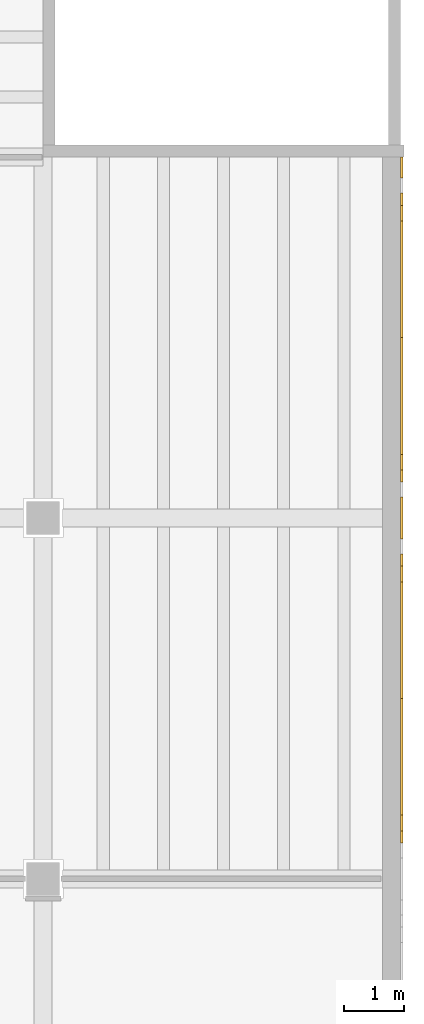
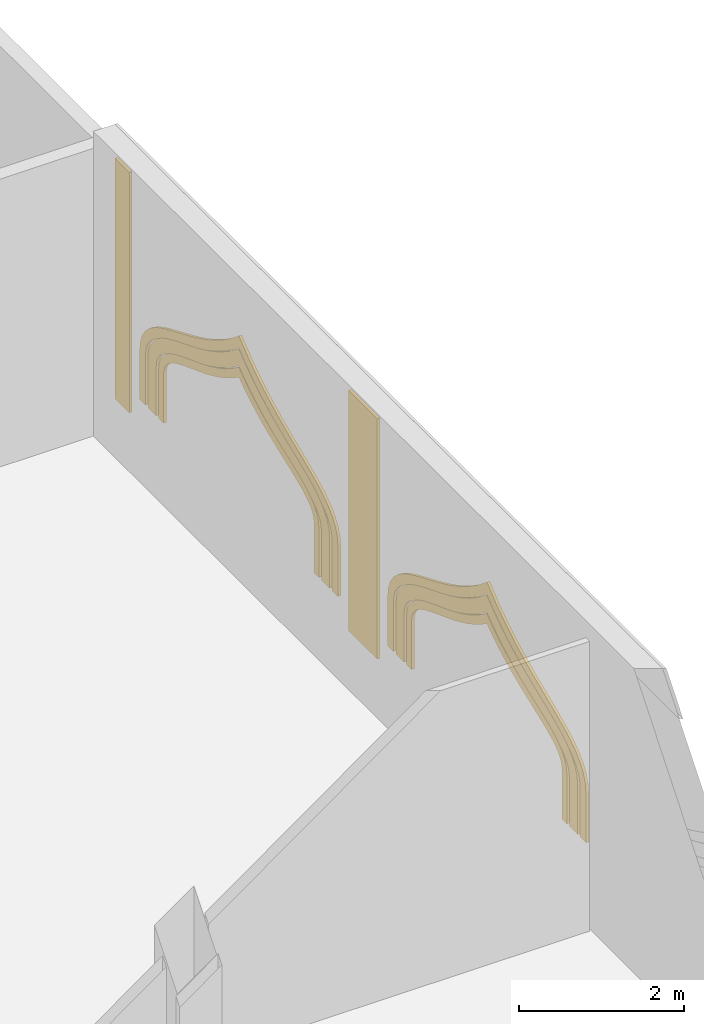
# One storey, part 70 of 70: 8 coverings.
"""IFC4 building model written with IfcOpenShell, lengths in metres."""

from ifc_helpers import new_model, si_unit, direction, frame, origin, origin_2d, place, context, subcontext, project, spatial, polyline, rectangle, outline, extrude, material, layer, layer_set, type_object, element, save


model = new_model("IFC4")

# Units and contexts
model_context = context("Model", 3, precision=1e-05, world=origin(), true_north=direction((0.0, 1.0)))
body_context = subcontext(model_context, "Body", "Model", "MODEL_VIEW")
ifc_project = project(units=[si_unit("LENGTHUNIT", "METRE"), si_unit("AREAUNIT", "SQUARE_METRE"), si_unit("VOLUMEUNIT", "CUBIC_METRE"), si_unit("PLANEANGLEUNIT", "RADIAN"), si_unit("MASSUNIT", "GRAM", prefix="KILO")], contexts=[model_context])

# Site, building, storey
site_placement = place(None, origin())
site = spatial("IfcSite", under=ifc_project, at=site_placement, CompositionType="ELEMENT")
building_placement = place(site_placement, origin())
building = spatial("IfcBuilding", under=site, at=building_placement, Name="Saffron Lane Theatres", CompositionType="ELEMENT")
storey_placement = place(building_placement, frame((0.0, 0.0, 12.0)))
storey = spatial("IfcBuildingStorey", under=building, at=storey_placement, Name="L02", CompositionType="ELEMENT", Elevation=12.0)

# Coverings
ifc_material_1 = material(Name="Face brick cladding, pale buff", Category="masonry")
ifc_layer_1 = layer(ifc_material_1, 0.0400390625)
ifc_layer_set_1 = layer_set([ifc_layer_1], Name="Face brick cladding, pale buff")
covering_type_1 = type_object("IfcCoveringType", Name="EX-FACE BRICK SKIN PALE BUFF 40", PredefinedType="CLADDING", material=ifc_layer_set_1)
covering_1_placement = place(storey_placement, frame((65.9599609375, 114.0, 0.4501953125), z_axis=(0.0, 0.0, 1.0), x_axis=(0.0, 1.0, 0.0)))
element("IfcCovering", 1, at=covering_1_placement, inside=storey, type_object=covering_type_1, Name="Face brick cladding, pale buff L02", PredefinedType="CLADDING", context=body_context, shape_type="SweptSolid", body=[
    extrude(rectangle(XDim=0.699951171875, YDim=0.0400390625, at=origin_2d()), origin(), (0.0, 0.0, 1.0), 3.550048828125),
])
covering_2_placement = place(storey_placement, frame((65.9599609375, 119.824951171875, 0.4501953125), z_axis=(0.0, 0.0, 1.0), x_axis=(0.0, 1.0, 0.0)))
element("IfcCovering", 2, at=covering_2_placement, inside=storey, type_object=covering_type_1, Name="Face brick cladding, pale buff L02", PredefinedType="CLADDING", context=body_context, shape_type="SweptSolid", body=[
    extrude(rectangle(XDim=0.35009765625, YDim=0.0400390625, at=origin_2d()), origin(), (0.0, 0.0, 1.0), 3.550048828125),
])
ifc_material_2 = material(Name="Face brick cladding, pale buff", Category="masonry")
ifc_layer_2 = layer(ifc_material_2, 0.0400390625)
ifc_layer_set_2 = layer_set([ifc_layer_2], Name="Face brick cladding, pale buff")
covering_type_2 = type_object("IfcCoveringType", Name="EX-NICHE FRAME RING FACE BRICK PALE BUFF", PredefinedType="CLADDING", material=ifc_layer_set_2)
covering_3_placement = place(storey_placement, frame((65.93994140625, 109.06005859375, 1.529052734375), z_axis=(-1.0, 0.0, 0.0), x_axis=(0.0, 0.125787163421, 0.992057251129)))
element("IfcCovering", 3, at=covering_3_placement, inside=storey, type_object=covering_type_2, Name="Court wall niche ring", PredefinedType="CLADDING", context=body_context, shape_type="SweptSolid", body=[
    extrude(outline(polyline([(0.0, 0.0), (0.10286783462729944, -1.734723475976807e-18), (0.2003058366133861, 0.02898943089024811), (0.28852048186243034, 0.08228128848391583), (0.36629033325911087, 0.1541241568385554), (0.4390324759984652, 0.24260070416356044), (0.507500747692938, 0.345892681090867), (0.5744445407107455, 0.46045224157820186), (0.6416479180870274, 0.5848227001853759), (0.7120787170630909, 0.7191199427867082), (0.7862758069545193, 0.8598303096728491), (0.8662040327603895, 1.0049820026922627), (0.9537702965426195, 1.154087142314066), (1.0502093622920772, 1.3032977380814992), (1.1557020119727, 1.4520986772832154), (1.2741507024021774, 1.5982724837141218), (1.4373464054824177, 1.7732259676027586), (1.3229792155464521, 1.9833728326633073), (1.244760306386786, 2.1544829615301575), (1.1797431160295304, 2.3249035694448104), (1.123595251063273, 2.4934613119297864), (1.0760130904972982, 2.6597024957871276), (1.0348405776399026, 2.8202090671537974), (0.9981093909157794, 2.974984502606025), (0.9634247487321284, 3.122609779612776), (0.9293879085859198, 3.259816916518256), (0.8931538722626247, 3.387458833357453), (0.8526314791601582, 3.50457020079729), (0.8042728832362467, 3.6084016264695515), (0.7468943102847225, 3.6973805390597287), (0.6747715775436027, 3.7710022555851634), (0.5876520538068722, 3.8233925210766304), (0.4880394533891911, 3.8490658776732425), (-0.2351741579078327, 3.9407652111630567), (-0.2502526484448383, 3.8218442857957298), (0.46496831410040995, 3.7311583742768346), (0.5400026794337924, 3.7115545403476755), (0.6001700459508014, 3.6756247044444676), (0.6527671677279272, 3.6226897753437015), (0.698940156062184, 3.5501434797319464), (0.7410530827896775, 3.4591626386629097), (0.77859431177529, 3.351534791747961), (0.8135356411705575, 3.229224783986177), (0.846849353461016, 3.0940780979260873), (0.8816568346714453, 2.9474216268286426), (0.9185073838461169, 2.7916466757104144), (0.960037984055158, 2.6281415573457427), (1.0091585296027163, 2.4585060762296007), (1.0668720127310223, 2.284827916387843), (1.1349966828081395, 2.107860915432915), (1.2162002326608894, 1.9292355876164828), (1.2905723102225393, 1.7918360801596331), (1.1842620856985966, 1.6773460511968898), (1.0610475886877535, 1.5246397580306266), (0.9510348104793215, 1.3712439439121653), (0.8516788972732567, 1.2164969004991457), (0.7617757948353858, 1.0644888197256537), (0.6807524475172019, 0.9165228382484054), (0.6061903171216689, 0.7748743752096529), (0.5358823571723834, 0.6415459385176266), (0.4698934637589638, 0.5189902527022867), (0.40553218745035335, 0.4092712451852531), (0.3423176018681286, 0.31441865705522143), (0.2788306844812543, 0.23682726990499206), (0.21601300801857182, 0.17810036480576727), (0.15186901772430933, 0.13996753843175677), (0.08463840716756255, 0.12019103454986238), (0.007085841785230041, 0.11993434733824601), (-0.7081351207600182, 0.21062025885714114), (-0.7232136112970238, 0.09169933348981403), (0.0, 0.0)])), origin(), (0.0, 0.0, -1.0), 0.0400390625),
])
covering_4_placement = place(storey_placement, frame((65.93994140625, 108.800048828125, 1.531005859375), z_axis=(-1.0, 0.0, 0.0), x_axis=(0.0, 0.124981281942, 0.992159099724)))
element("IfcCovering", 4, at=covering_4_placement, inside=storey, type_object=covering_type_2, Name="Court wall niche ring", PredefinedType="CLADDING", context=body_context, shape_type="SweptSolid", body=[
    extrude(outline(polyline([(0.0, 0.0), (0.12697213837489085, 0.0), (0.24997852453431715, 0.03298080651064107), (0.3595056719254136, 0.09374300291988652), (0.45676095681453616, 0.17819737668643526), (0.5452500891383669, 0.27901235606536234), (0.6263959139448547, 0.39576263666424205), (0.7061301600449148, 0.5247481641551519), (0.7862990991553347, 0.664998155443681), (0.8685354119348959, 0.8138462430364772), (0.9556542754712098, 0.9701995918059837), (1.0495611097740505, 1.131603547593268), (1.1510112291562355, 1.2962404739662412), (1.2636056380264804, 1.461442125707965), (1.3880691376893162, 1.6251486400436455), (1.5262174868532434, 1.786147007536166), (1.7363042432154532, 1.9986165951301107), (1.5855958009789675, 2.2575194704419133), (1.491569261797464, 2.446780394502173), (1.4115937282164914, 2.6362398878317443), (1.3434872854281097, 2.824204243755272), (1.286036923995202, 3.0088577035642547), (1.2350924053598944, 3.1885084383069255), (1.1894712330933568, 3.3615829156174892), (1.146718753036656, 3.526175715486171), (1.1038367100524615, 3.681926314984293), (1.0585821633162598, 3.826656554751089), (1.0089257630615434, 3.959883859824733), (0.9482034682785188, 4.079494852308206), (0.874931407902664, 4.18543038390852), (0.7838951435332473, 4.2714573511790705), (0.6729108826387414, 4.333913723694567), (0.5499054353411086, 4.365403148246339), (-0.1753202347204572, 4.45675909505642), (-0.20031038850718275, 4.25837572038026), (0.5130461907617923, 4.1685149109762225), (0.5988745887630316, 4.14663004257128), (0.6639156477958518, 4.110138831814989), (0.7223673053314565, 4.054546008440391), (0.7761044683713332, 3.977154691945845), (0.8252797019569147, 3.8791760140448814), (0.8698930060882013, 3.7606099747375006), (0.9121586863050064, 3.625360830791697), (0.953743691721572, 3.474941088556692), (0.9964961717782725, 3.3103482886880107), (1.0422375183543697, 3.1362743929983368), (1.0946011265904527, 2.9522617063633723), (1.1541038399038068, 2.7604597528591834), (1.2250789749020257, 2.5640137194937744), (1.3086480019973663, 2.3640126859475283), (1.4091728730821225, 2.16187574182122), (1.4863266575429295, 2.0301060196818823), (1.378903968861815, 1.9215872098569335), (1.2313890650156947, 1.750695586216104), (1.1008300051589897, 1.577668051995212), (0.9833530455319921, 1.404961139076778), (0.8782638978384575, 1.2348769365783012), (0.7817784796199506, 1.0686303316604855), (0.6942953377077843, 0.9113385905284419), (0.6120590249282231, 0.7624905029356456), (0.5344686697334693, 0.6270831607776483), (0.4599812527660143, 0.5065412868259859), (0.38735700702762876, 0.4027435435293195), (0.3154190692602435, 0.32002136977165624), (0.24416743946385833, 0.2583747655529961), (0.17375468267990626, 0.2190148625868687), (0.10169563174116798, 0.19979401452079415), (0.0131210629941348, 0.1998785120822032), (-0.7002355162748403, 0.28973932148624076), (-0.7252256700615658, 0.09135594681008097), (0.0, 0.0)])), origin(), (0.0, 0.0, -1.0), 0.0400390625),
])
covering_5_placement = place(storey_placement, frame((65.93994140625, 108.60009765625, 1.529052734375), z_axis=(-1.0, 0.0, 0.0), x_axis=(0.0, 0.1142904069, 0.993447383051)))
element("IfcCovering", 5, at=covering_5_placement, inside=storey, type_object=covering_type_2, Name="Court wall niche ring", PredefinedType="CLADDING", context=body_context, shape_type="SweptSolid", body=[
    extrude(outline(polyline([(0.0, 0.0), (0.1388492792656847, 0.0), (0.2696088548128292, 0.03435280127758979), (0.38778420831120713, 0.09816895170466255), (0.4935728066597587, 0.1867564660520517), (0.5907072035243214, 0.2962454223763962), (0.682649508774358, 0.42255126080070415), (0.7725527536549033, 0.5653112432171398), (0.8628530787126653, 0.7200673397441939), (0.9554908108676652, 0.8865963269308906), (1.0550849584516353, 1.060189048513373), (1.1614487864623173, 1.2413584891530183), (1.2782032368400602, 1.4252645634464545), (1.4071770247793973, 1.6107138844826956), (1.5503297946143773, 1.7955149989593715), (1.7109648241435755, 1.9763388725258713), (1.9322951685448566, 2.193432264117283), (1.7660452106718798, 2.4551145400411314), (1.6506687358280459, 2.6676919495089537), (1.5532209675803823, 2.8801727719066417), (1.4697289577773855, 3.090065060824744), (1.3978982269085434, 3.2966497791855978), (1.3353420011518824, 3.496269496600136), (1.2777696682141262, 3.6879433177116665), (1.2253679630975327, 3.871158257858812), (1.1725691778037226, 4.042377083895339), (1.1174329854126743, 4.201823019272223), (1.0565745457110323, 4.345707704460884), (0.9868408274537619, 4.474393877569155), (0.9039326328302404, 4.584689872523951), (0.803336126096215, 4.673674467048558), (0.6837935289606095, 4.736823093502039), (0.5485716307732833, 4.768353405952386), (-0.17565539212467307, 4.851671559029142), (-0.19164377180082215, 4.712695643382615), (0.5245794025520463, 4.630298287041135), (0.6344268042255539, 4.604636175696251), (0.7236754034085255, 4.557997499097641), (0.800384854508793, 4.489946542240035), (0.8682683937781672, 4.398581613031465), (0.9308332050521732, 4.284482233892733), (0.9867721433150001, 4.151239297453483), (1.0388368668757932, 3.9992734940636265), (1.0910282268174285, 3.831319310997622), (1.14354154365951, 3.649074534310487), (1.2006202093499159, 3.4552457483453045), (1.2650523706465087, 3.252706955033389), (1.3383490786020484, 3.0417758185165145), (1.424324449297152, 2.8256998107305122), (1.5258138498350813, 2.605627244620307), (1.6453628861086955, 2.384460025048585), (1.7535425510378928, 2.2139967245384384), (1.609479716364319, 2.0725524726551585), (1.442830531934789, 1.8843107121023825), (1.2940177597899682, 1.6930339711680689), (1.1612212702526687, 1.5021264074796), (1.0420521431215808, 1.314320361932094), (0.9331985150807832, 1.1307340981597673), (0.8335957819794677, 0.9549306058608891), (0.7410696615499556, 0.789371782134203), (0.6521022380600401, 0.6376571051266956), (0.5668888320293253, 0.5014843608933854), (0.4821540685906067, 0.384425124649887), (0.39531370702297125, 0.28751395123630025), (0.3085956890775053, 0.21516379656807177), (0.21829751039907963, 0.16509735216938012), (0.12078964352999957, 0.13994393272720115), (0.007984531131061172, 0.1398967123818024), (-0.7082386432218073, 0.22229406872328286), (-0.7242270228979564, 0.08331815307675605), (0.0, 0.0)])), origin(), (0.0, 0.0, -1.0), 0.0400390625),
])
covering_6_placement = place(storey_placement, frame((65.93994140625, 115.06005859375, 1.529052734375), z_axis=(-1.0, 0.0, 0.0), x_axis=(0.0, 0.125787163421, 0.992057251129)))
element("IfcCovering", 6, at=covering_6_placement, inside=storey, type_object=covering_type_2, Name="Court wall niche ring", PredefinedType="CLADDING", context=body_context, shape_type="SweptSolid", body=[
    extrude(outline(polyline([(0.0, 0.0), (0.10286783462729944, -1.734723475976807e-18), (0.2003058366133861, 0.02898943089024811), (0.28852048186243034, 0.08228128848391583), (0.36629033325911087, 0.1541241568385554), (0.4390324759984652, 0.24260070416356044), (0.507500747692938, 0.345892681090867), (0.5744445407107455, 0.46045224157820186), (0.6416479180870274, 0.5848227001853759), (0.7120787170630909, 0.7191199427867082), (0.7862758069545193, 0.8598303096728491), (0.8662040327603895, 1.0049820026922627), (0.9537702965426195, 1.154087142314066), (1.0502093622920772, 1.3032977380814992), (1.1557020119727, 1.4520986772832154), (1.2741507024021774, 1.5982724837141218), (1.4373464054824177, 1.7732259676027586), (1.3229792155464521, 1.9833728326633073), (1.244760306386786, 2.1544829615301575), (1.1797431160295304, 2.3249035694448104), (1.123595251063273, 2.4934613119297864), (1.0760130904972982, 2.6597024957871276), (1.0348405776399026, 2.8202090671537974), (0.9981093909157794, 2.974984502606025), (0.9634247487321284, 3.122609779612776), (0.9293879085859198, 3.259816916518256), (0.8931538722626247, 3.387458833357453), (0.8526314791601582, 3.50457020079729), (0.8042728832362467, 3.6084016264695515), (0.7468943102847225, 3.6973805390597287), (0.6747715775436027, 3.7710022555851634), (0.5876520538068722, 3.8233925210766304), (0.4880394533891911, 3.8490658776732425), (-0.2351741579078327, 3.9407652111630567), (-0.2502526484448383, 3.8218442857957298), (0.46496831410040995, 3.7311583742768346), (0.5400026794337924, 3.7115545403476755), (0.6001700459508014, 3.6756247044444676), (0.6527671677279272, 3.6226897753437015), (0.698940156062184, 3.5501434797319464), (0.7410530827896775, 3.4591626386629097), (0.77859431177529, 3.351534791747961), (0.8135356411705575, 3.229224783986177), (0.846849353461016, 3.0940780979260873), (0.8816568346714453, 2.9474216268286426), (0.9185073838461169, 2.7916466757104144), (0.960037984055158, 2.6281415573457427), (1.0091585296027163, 2.4585060762296007), (1.0668720127310223, 2.284827916387843), (1.1349966828081395, 2.107860915432915), (1.2162002326608894, 1.9292355876164828), (1.2905723102225393, 1.7918360801596331), (1.1842620856985966, 1.6773460511968898), (1.0610475886877535, 1.5246397580306266), (0.9510348104793215, 1.3712439439121653), (0.8516788972732567, 1.2164969004991457), (0.7617757948353858, 1.0644888197256537), (0.6807524475172019, 0.9165228382484054), (0.6061903171216689, 0.7748743752096529), (0.5358823571723834, 0.6415459385176266), (0.4698934637589638, 0.5189902527022867), (0.40553218745035335, 0.4092712451852531), (0.3423176018681286, 0.31441865705522143), (0.2788306844812543, 0.23682726990499206), (0.21601300801857182, 0.17810036480576727), (0.15186901772430933, 0.13996753843175677), (0.08463840716756255, 0.12019103454986238), (0.007085841785230041, 0.11993434733824601), (-0.7081351207600182, 0.21062025885714114), (-0.7232136112970238, 0.09169933348981403), (0.0, 0.0)])), origin(), (0.0, 0.0, -1.0), 0.0400390625),
])
covering_7_placement = place(storey_placement, frame((65.93994140625, 114.800048828125, 1.531005859375), z_axis=(-1.0, 0.0, 0.0), x_axis=(0.0, 0.124981281942, 0.992159099724)))
element("IfcCovering", 7, at=covering_7_placement, inside=storey, type_object=covering_type_2, Name="Court wall niche ring", PredefinedType="CLADDING", context=body_context, shape_type="SweptSolid", body=[
    extrude(outline(polyline([(0.0, 0.0), (0.12697213837489085, 0.0), (0.24997852453431715, 0.03298080651064107), (0.3595056719254136, 0.09374300291988652), (0.45676095681453616, 0.17819737668643526), (0.5452500891383669, 0.27901235606536234), (0.6263959139448547, 0.39576263666424205), (0.7061301600449148, 0.5247481641551519), (0.7862990991553347, 0.664998155443681), (0.8685354119348959, 0.8138462430364772), (0.9556542754712098, 0.9701995918059837), (1.0495611097740505, 1.131603547593268), (1.1510112291562355, 1.2962404739662412), (1.2636056380264804, 1.461442125707965), (1.3880691376893162, 1.6251486400436455), (1.5262174868532434, 1.786147007536166), (1.7363042432154532, 1.9986165951301107), (1.5855958009789675, 2.2575194704419133), (1.491569261797464, 2.446780394502173), (1.4115937282164914, 2.6362398878317443), (1.3434872854281097, 2.824204243755272), (1.286036923995202, 3.0088577035642547), (1.2350924053598944, 3.1885084383069255), (1.1894712330933568, 3.3615829156174892), (1.146718753036656, 3.526175715486171), (1.1038367100524615, 3.681926314984293), (1.0585821633162598, 3.826656554751089), (1.0089257630615434, 3.959883859824733), (0.9482034682785188, 4.079494852308206), (0.874931407902664, 4.18543038390852), (0.7838951435332473, 4.2714573511790705), (0.6729108826387414, 4.333913723694567), (0.5499054353411086, 4.365403148246339), (-0.1753202347204572, 4.45675909505642), (-0.20031038850718275, 4.25837572038026), (0.5130461907617923, 4.1685149109762225), (0.5988745887630316, 4.14663004257128), (0.6639156477958518, 4.110138831814989), (0.7223673053314565, 4.054546008440391), (0.7761044683713332, 3.977154691945845), (0.8252797019569147, 3.8791760140448814), (0.8698930060882013, 3.7606099747375006), (0.9121586863050064, 3.625360830791697), (0.953743691721572, 3.474941088556692), (0.9964961717782725, 3.3103482886880107), (1.0422375183543697, 3.1362743929983368), (1.0946011265904527, 2.9522617063633723), (1.1541038399038068, 2.7604597528591834), (1.2250789749020257, 2.5640137194937744), (1.3086480019973663, 2.3640126859475283), (1.4091728730821225, 2.16187574182122), (1.4863266575429295, 2.0301060196818823), (1.378903968861815, 1.9215872098569335), (1.2313890650156947, 1.750695586216104), (1.1008300051589897, 1.577668051995212), (0.9833530455319921, 1.404961139076778), (0.8782638978384575, 1.2348769365783012), (0.7817784796199506, 1.0686303316604855), (0.6942953377077843, 0.9113385905284419), (0.6120590249282231, 0.7624905029356456), (0.5344686697334693, 0.6270831607776483), (0.4599812527660143, 0.5065412868259859), (0.38735700702762876, 0.4027435435293195), (0.3154190692602435, 0.32002136977165624), (0.24416743946385833, 0.2583747655529961), (0.17375468267990626, 0.2190148625868687), (0.10169563174116798, 0.19979401452079415), (0.0131210629941348, 0.1998785120822032), (-0.7002355162748403, 0.28973932148624076), (-0.7252256700615658, 0.09135594681008097), (0.0, 0.0)])), origin(), (0.0, 0.0, -1.0), 0.0400390625),
])
covering_8_placement = place(storey_placement, frame((65.93994140625, 114.60009765625, 1.529052734375), z_axis=(-1.0, 0.0, 0.0), x_axis=(0.0, 0.1142904069, 0.993447383051)))
element("IfcCovering", 8, at=covering_8_placement, inside=storey, type_object=covering_type_2, Name="Court wall niche ring", PredefinedType="CLADDING", context=body_context, shape_type="SweptSolid", body=[
    extrude(outline(polyline([(0.0, 0.0), (0.1388492792656847, 0.0), (0.2696088548128292, 0.03435280127758979), (0.38778420831120713, 0.09816895170466255), (0.4935728066597587, 0.1867564660520517), (0.5907072035243214, 0.2962454223763962), (0.682649508774358, 0.42255126080070415), (0.7725527536549033, 0.5653112432171398), (0.8628530787126653, 0.7200673397441939), (0.9554908108676652, 0.8865963269308906), (1.0550849584516353, 1.060189048513373), (1.1614487864623173, 1.2413584891530183), (1.2782032368400602, 1.4252645634464545), (1.4071770247793973, 1.6107138844826956), (1.5503297946143773, 1.7955149989593715), (1.7109648241435755, 1.9763388725258713), (1.9322951685448566, 2.193432264117283), (1.7660452106718798, 2.4551145400411314), (1.6506687358280459, 2.6676919495089537), (1.5532209675803823, 2.8801727719066417), (1.4697289577773855, 3.090065060824744), (1.3978982269085434, 3.2966497791855978), (1.3353420011518824, 3.496269496600136), (1.2777696682141262, 3.6879433177116665), (1.2253679630975327, 3.871158257858812), (1.1725691778037226, 4.042377083895339), (1.1174329854126743, 4.201823019272223), (1.0565745457110323, 4.345707704460884), (0.9868408274537619, 4.474393877569155), (0.9039326328302404, 4.584689872523951), (0.803336126096215, 4.673674467048558), (0.6837935289606095, 4.736823093502039), (0.5485716307732833, 4.768353405952386), (-0.17565539212467307, 4.851671559029142), (-0.19164377180082215, 4.712695643382615), (0.5245794025520463, 4.630298287041135), (0.6344268042255539, 4.604636175696251), (0.7236754034085255, 4.557997499097641), (0.800384854508793, 4.489946542240035), (0.8682683937781672, 4.398581613031465), (0.9308332050521732, 4.284482233892733), (0.9867721433150001, 4.151239297453483), (1.0388368668757932, 3.9992734940636265), (1.0910282268174285, 3.831319310997622), (1.14354154365951, 3.649074534310487), (1.2006202093499159, 3.4552457483453045), (1.2650523706465087, 3.252706955033389), (1.3383490786020484, 3.0417758185165145), (1.424324449297152, 2.8256998107305122), (1.5258138498350813, 2.605627244620307), (1.6453628861086955, 2.384460025048585), (1.7535425510378928, 2.2139967245384384), (1.609479716364319, 2.0725524726551585), (1.442830531934789, 1.8843107121023825), (1.2940177597899682, 1.6930339711680689), (1.1612212702526687, 1.5021264074796), (1.0420521431215808, 1.314320361932094), (0.9331985150807832, 1.1307340981597673), (0.8335957819794677, 0.9549306058608891), (0.7410696615499556, 0.789371782134203), (0.6521022380600401, 0.6376571051266956), (0.5668888320293253, 0.5014843608933854), (0.4821540685906067, 0.384425124649887), (0.39531370702297125, 0.28751395123630025), (0.3085956890775053, 0.21516379656807177), (0.21829751039907963, 0.16509735216938012), (0.12078964352999957, 0.13994393272720115), (0.007984531131061172, 0.1398967123818024), (-0.7082386432218073, 0.22229406872328286), (-0.7242270228979564, 0.08331815307675605), (0.0, 0.0)])), origin(), (0.0, 0.0, -1.0), 0.0400390625),
])

save(model, "model.ifc")
